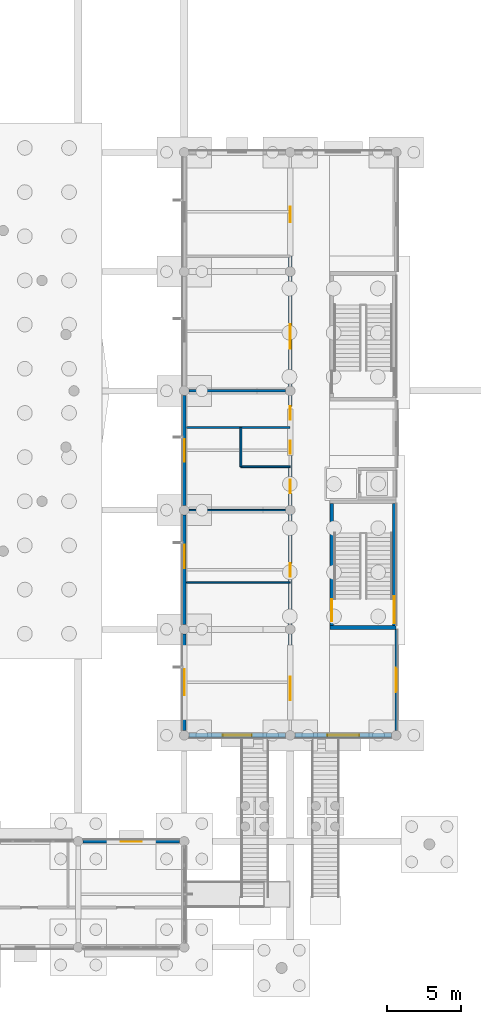
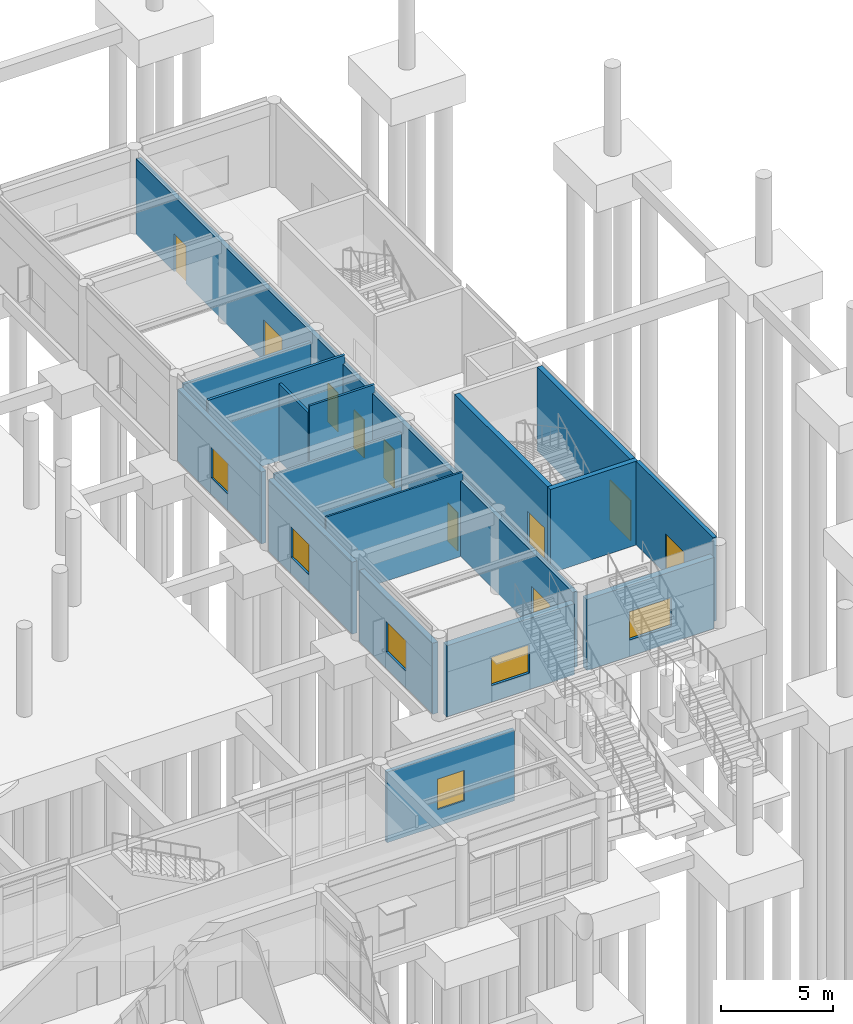
# One storey, part 61 of 103: 17 walls, 10 doors, 6 windows, 16 openings.
"""IFC4 building model written with IfcOpenShell, lengths in metres."""

from ifc_helpers import new_model, si_unit, direction, frame, frame_2d, origin, place, context, subcontext, project, spatial, rectangle, extrude, material, layer, layer_set, type_object, element, fill, save


model = new_model("IFC4")

# Units and contexts
model_context = context("Model", 3, precision=1e-05, world=origin(), true_north=direction((0.0, 1.0)))
body_context = subcontext(model_context, "Body", "Model", "MODEL_VIEW")
ifc_project = project(units=[si_unit("LENGTHUNIT", "METRE"), si_unit("AREAUNIT", "SQUARE_METRE"), si_unit("VOLUMEUNIT", "CUBIC_METRE"), si_unit("PLANEANGLEUNIT", "RADIAN"), si_unit("MASSUNIT", "GRAM", prefix="KILO")], contexts=[model_context])

# Site, building, storey
site_placement = place(None, origin())
site = spatial("IfcSite", under=ifc_project, at=site_placement, CompositionType="ELEMENT")
building_placement = place(site_placement, origin())
building = spatial("IfcBuilding", under=site, at=building_placement, Name="Namkhue Oval Health Centre", CompositionType="ELEMENT")
storey_placement = place(building_placement, origin())
storey = spatial("IfcBuildingStorey", under=building, at=storey_placement, Name="L00", CompositionType="ELEMENT", Elevation=0.0)

# Wall, opening, door
ifc_material_1 = material(Name="Autoclaved aerated concrete blockwork M7.5", Category="masonry")
ifc_layer_1 = layer(ifc_material_1, 0.179931640625)
ifc_layer_set_1 = layer_set([ifc_layer_1], Name="Autoclaved aerated concrete blockwork M7.5")
wall_type_1 = type_object("IfcWallType", Name="EXTERIOR ENVELOPE WALL 180", PredefinedType="STANDARD", material=ifc_layer_set_1)
wall_1_placement = place(storey_placement, frame((151.199951171875, 36.320068359375, 0.0), z_axis=(0.0, 0.0, 1.0), x_axis=(0.0, 1.0, 0.0)))
wall_1 = element("IfcWall", 1, at=wall_1_placement, inside=storey, type_object=wall_type_1, Name="Volume V6 L00 Exterior Envelope Wall 161", PredefinedType="STANDARD", context=body_context, shape_type="SweptSolid", body=[
    extrude(rectangle(XDim=6.8779296875, YDim=0.179931640625, at=frame_2d((3.43896484375, 0.0))), origin(), (0.0, 0.0, 1.0), 4.56494140625),
])
opening_1_placement = place(wall_1_placement, frame((2.59912109375, 0.0, 0.0)))
opening_1 = element("IfcOpeningElement", 2, at=opening_1_placement, cuts=wall_1, Name="Opening ED-04", PredefinedType="OPENING", context=body_context, shape_type="SweptSolid", body=[
    extrude(rectangle(XDim=1.679931640625, YDim=2.199951171875, at=frame_2d((0.83984375, 1.10009765625))), frame((0.0, 0.099853515625, 0.0), z_axis=(0.0, -1.0, 0.0), x_axis=(1.0, 0.0, 0.0)), (0.0, 0.0, 1.0), 0.199951171875),
])
ifc_material_2 = material(Name="Anodised aluminium glazed entrance door", Category="aluminium")
door_type_1 = type_object("IfcDoorType", Name="ENTRANCE DOOR 1680X2200", OperationType="DOUBLE_DOOR_SINGLE_SWING", PredefinedType="DOOR", material=ifc_material_2)
door_1_placement = place(opening_1_placement, frame((1.679931640625, 0.0, 0.0), z_axis=(0.0, 0.0, 1.0), x_axis=(-1.0, 0.0, 0.0)))
door_1 = element("IfcDoor", 3, at=door_1_placement, inside=storey, type_object=door_type_1, Name="Volume V6 Main Pedestrian Entrance Exit Door 16", OperationType="DOUBLE_DOOR_SINGLE_SWING", OverallHeight=2.199951171875, OverallWidth=1.679931640625, PredefinedType="DOOR", context=body_context, shape_type="SweptSolid", body=[
    extrude(rectangle(XDim=1.679931640625, YDim=2.199951171875, at=frame_2d((0.83984375, 1.10009765625))), frame((0.0, 0.02490234375, 0.0), z_axis=(0.0, -1.0, 0.0), x_axis=(1.0, 0.0, 0.0)), (0.0, 0.0, 1.0), 0.050048828125),
])
fill(opening_1, door_1)

# Wall, opening, window
ifc_layer_2 = layer(ifc_material_1, 0.2099609375)
ifc_layer_set_2 = layer_set([ifc_layer_2], Name="Autoclaved aerated concrete blockwork M7.5")
wall_type_2 = type_object("IfcWallType", Name="EXTERIOR ENVELOPE WALL 210", PredefinedType="STANDARD", material=ifc_layer_set_2)
wall_2_placement = place(storey_placement, frame((136.47998046875, 28.800048828125, 0.0), z_axis=(0.0, 0.0, 1.0), x_axis=(-1.0, 0.0, 0.0)))
wall_2 = element("IfcWall", 4, at=wall_2_placement, inside=storey, type_object=wall_type_2, Name="Volume V5 L00 Exterior Envelope Wall 116", PredefinedType="STANDARD", context=body_context, shape_type="SweptSolid", body=[
    extrude(rectangle(XDim=6.56005859375, YDim=0.2099609375, at=frame_2d((3.280029296875, 0.0))), origin(), (0.0, 0.0, 1.0), 3.844970703125),
])
opening_2_placement = place(wall_2_placement, frame((2.580078125, 0.0, 0.89990234375)))
opening_2 = element("IfcOpeningElement", 5, at=opening_2_placement, cuts=wall_2, Name="Opening WN-33", PredefinedType="OPENING", context=body_context, shape_type="SweptSolid", body=[
    extrude(rectangle(XDim=1.39990234375, YDim=1.659912109375, at=frame_2d((0.699951171875, 0.830078125))), frame((0.0, 0.114990234375, 0.0), z_axis=(0.0, -1.0, 0.0), x_axis=(1.0, 0.0, 0.0)), (0.0, 0.0, 1.0), 0.22998046875),
])
ifc_material_3 = material(Name="Thermally broken low-E laminated double glazing", Category="glass")
window_type_1 = type_object("IfcWindowType", Name="EXTERIOR WINDOW 1400X1660", PartitioningType="SINGLE_PANEL", PredefinedType="WINDOW", material=ifc_material_3)
window_1_placement = place(opening_2_placement, origin())
window_1 = element("IfcWindow", 6, at=window_1_placement, inside=storey, type_object=window_type_1, Name="Volume V5 L00 Exterior Window 78", OverallHeight=1.659912109375, OverallWidth=1.39990234375, PartitioningType="SINGLE_PANEL", PredefinedType="WINDOW", context=body_context, shape_type="SweptSolid", body=[
    extrude(rectangle(XDim=1.39990234375, YDim=1.659912109375, at=frame_2d((0.699951171875, 0.830078125))), frame((0.0, 0.030029296875, 0.0), z_axis=(0.0, -1.0, 0.0), x_axis=(1.0, 0.0, 0.0)), (0.0, 0.0, 1.0), 0.06005859375),
])
fill(opening_2, window_1)

ifc_layer_3 = layer(ifc_material_1, 0.25)
ifc_layer_set_3 = layer_set([ifc_layer_3], Name="Autoclaved aerated concrete blockwork M7.5")
wall_type_3 = type_object("IfcWallType", Name="EXTERIOR ENVELOPE WALL 250", PredefinedType="STANDARD", material=ifc_layer_set_3)
wall_3_placement = place(storey_placement, frame((136.800048828125, 59.080078125, 0.0), z_axis=(0.0, 0.0, 1.0), x_axis=(0.0, -1.0, 0.0)))
wall_3 = element("IfcWall", 7, at=wall_3_placement, inside=storey, type_object=wall_type_3, Name="Volume V6 L00 Exterior Envelope Wall 168", PredefinedType="STANDARD", context=body_context, shape_type="SweptSolid", body=[
    extrude(rectangle(XDim=7.4599609375, YDim=0.25, at=frame_2d((3.72998046875, 0.0))), origin(), (0.0, 0.0, 1.0), 3.9150390625),
])
opening_3_placement = place(wall_3_placement, frame((2.97998046875, 0.0, 0.89990234375)))
opening_3 = element("IfcOpeningElement", 8, at=opening_3_placement, cuts=wall_3, Name="Opening WN-34", PredefinedType="OPENING", context=body_context, shape_type="SweptSolid", body=[
    extrude(rectangle(XDim=1.5, YDim=1.659912109375, at=frame_2d((0.75, 0.830078125))), frame((0.0, 0.135009765625, 0.0), z_axis=(0.0, -1.0, 0.0), x_axis=(1.0, 0.0, 0.0)), (0.0, 0.0, 1.0), 0.27001953125),
])
window_type_2 = type_object("IfcWindowType", Name="EXTERIOR WINDOW 1500X1660", PartitioningType="SINGLE_PANEL", PredefinedType="WINDOW", material=ifc_material_3)
window_2_placement = place(opening_3_placement, origin())
window_2 = element("IfcWindow", 9, at=window_2_placement, inside=storey, type_object=window_type_2, Name="Volume V6 L00 Exterior Window 124", OverallHeight=1.659912109375, OverallWidth=1.5, PartitioningType="SINGLE_PANEL", PredefinedType="WINDOW", context=body_context, shape_type="SweptSolid", body=[
    extrude(rectangle(XDim=1.5, YDim=1.659912109375, at=frame_2d((0.75, 0.830078125))), frame((0.0, 0.030029296875, 0.0), z_axis=(0.0, -1.0, 0.0), x_axis=(1.0, 0.0, 0.0)), (0.0, 0.0, 1.0), 0.06005859375),
])
fill(opening_3, window_2)

ifc_layer_4 = layer(ifc_material_1, 0.260009765625)
ifc_layer_set_4 = layer_set([ifc_layer_4], Name="Autoclaved aerated concrete blockwork M7.5")
wall_type_4 = type_object("IfcWallType", Name="EXTERIOR ENVELOPE WALL 260", PredefinedType="STANDARD", material=ifc_layer_set_4)
wall_4_placement = place(storey_placement, frame((136.800048828125, 50.97998046875, 0.0), z_axis=(0.0, 0.0, 1.0), x_axis=(0.0, -1.0, 0.0)))
wall_4 = element("IfcWall", 10, at=wall_4_placement, inside=storey, type_object=wall_type_4, Name="Volume V6 L00 Exterior Envelope Wall 169", PredefinedType="STANDARD", context=body_context, shape_type="SweptSolid", body=[
    extrude(rectangle(XDim=7.4599609375, YDim=0.260009765625, at=frame_2d((3.72998046875, 0.0))), origin(), (0.0, 0.0, 1.0), 3.9150390625),
])
opening_4_placement = place(wall_4_placement, frame((2.030029296875, 0.0, 0.89990234375)))
opening_4 = element("IfcOpeningElement", 11, at=opening_4_placement, cuts=wall_4, Name="Opening WN-35", PredefinedType="OPENING", context=body_context, shape_type="SweptSolid", body=[
    extrude(rectangle(XDim=1.60009765625, YDim=1.659912109375, at=frame_2d((0.800048828125, 0.830078125))), frame((0.0, 0.139892578125, 0.0), z_axis=(0.0, -1.0, 0.0), x_axis=(1.0, 0.0, 0.0)), (0.0, 0.0, 1.0), 0.280029296875),
])
window_type_3 = type_object("IfcWindowType", Name="EXTERIOR WINDOW 1600X1660", PartitioningType="SINGLE_PANEL", PredefinedType="WINDOW", material=ifc_material_3)
window_3_placement = place(opening_4_placement, origin())
window_3 = element("IfcWindow", 12, at=window_3_placement, inside=storey, type_object=window_type_3, Name="Volume V6 L00 Exterior Window 125", OverallHeight=1.659912109375, OverallWidth=1.60009765625, PartitioningType="SINGLE_PANEL", PredefinedType="WINDOW", context=body_context, shape_type="SweptSolid", body=[
    extrude(rectangle(XDim=1.60009765625, YDim=1.659912109375, at=frame_2d((0.800048828125, 0.830078125))), frame((0.0, 0.030029296875, 0.0), z_axis=(0.0, -1.0, 0.0), x_axis=(1.0, 0.0, 0.0)), (0.0, 0.0, 1.0), 0.06005859375),
])
fill(opening_4, window_3)

ifc_layer_5 = layer(ifc_material_1, 0.27001953125)
ifc_layer_set_5 = layer_set([ifc_layer_5], Name="Autoclaved aerated concrete blockwork M7.5")
wall_type_5 = type_object("IfcWallType", Name="EXTERIOR ENVELOPE WALL 270", PredefinedType="STANDARD", material=ifc_layer_set_5)
wall_5_placement = place(storey_placement, frame((136.800048828125, 42.8798828125, 0.0), z_axis=(0.0, 0.0, 1.0), x_axis=(0.0, -1.0, 0.0)))
wall_5 = element("IfcWall", 13, at=wall_5_placement, inside=storey, type_object=wall_type_5, Name="Volume V6 L00 Exterior Envelope Wall 170", PredefinedType="STANDARD", context=body_context, shape_type="SweptSolid", body=[
    extrude(rectangle(XDim=6.559814453125, YDim=0.27001953125, at=frame_2d((3.27978515625, 0.0))), origin(), (0.0, 0.0, 1.0), 3.8720703125),
])
opening_5_placement = place(wall_5_placement, frame((2.405029296875, 0.0, 0.89990234375)))
opening_5 = element("IfcOpeningElement", 14, at=opening_5_placement, cuts=wall_5, Name="Opening WN-36", PredefinedType="OPENING", context=body_context, shape_type="SweptSolid", body=[
    extrude(rectangle(XDim=1.75, YDim=1.659912109375, at=frame_2d((0.875, 0.830078125))), frame((0.0, 0.14501953125, 0.0), z_axis=(0.0, -1.0, 0.0), x_axis=(1.0, 0.0, 0.0)), (0.0, 0.0, 1.0), 0.2900390625),
])
window_type_4 = type_object("IfcWindowType", Name="EXTERIOR WINDOW 1750X1660", PartitioningType="SINGLE_PANEL", PredefinedType="WINDOW", material=ifc_material_3)
window_4_placement = place(opening_5_placement, origin())
window_4 = element("IfcWindow", 15, at=window_4_placement, inside=storey, type_object=window_type_4, Name="Volume V6 L00 Exterior Window 126", OverallHeight=1.659912109375, OverallWidth=1.75, PartitioningType="SINGLE_PANEL", PredefinedType="WINDOW", context=body_context, shape_type="SweptSolid", body=[
    extrude(rectangle(XDim=1.75, YDim=1.659912109375, at=frame_2d((0.875, 0.830078125))), frame((0.0, 0.030029296875, 0.0), z_axis=(0.0, -1.0, 0.0), x_axis=(1.0, 0.0, 0.0)), (0.0, 0.0, 1.0), 0.06005859375),
])
fill(opening_5, window_4)

ifc_layer_6 = layer(ifc_material_1, 0.320068359375)
ifc_layer_set_6 = layer_set([ifc_layer_6], Name="Autoclaved aerated concrete blockwork M7.5")
wall_type_6 = type_object("IfcWallType", Name="EXTERIOR ENVELOPE WALL 320", PredefinedType="STANDARD", material=ifc_layer_set_6)
wall_6_placement = place(storey_placement, frame((137.1201171875, 36.0, 0.0), z_axis=(0.0, 0.0, 1.0), x_axis=(1.0, 0.0, 0.0)))
wall_6 = element("IfcWall", 16, at=wall_6_placement, inside=storey, type_object=wall_type_6, Name="Volume V6 L00 Exterior Envelope Wall 159", PredefinedType="STANDARD", context=body_context, shape_type="SweptSolid", body=[
    extrude(rectangle(XDim=6.559814453125, YDim=0.320068359375, at=frame_2d((3.27978515625, 0.0))), origin(), (0.0, 0.0, 1.0), 3.8720703125),
])
opening_6_placement = place(wall_6_placement, frame((2.304931640625, 0.0, 0.89990234375)))
opening_6 = element("IfcOpeningElement", 17, at=opening_6_placement, cuts=wall_6, Name="Opening WN-28", PredefinedType="OPENING", context=body_context, shape_type="SweptSolid", body=[
    extrude(rectangle(XDim=1.949951171875, YDim=1.5400390625, at=frame_2d((0.97509765625, 0.77001953125))), frame((0.0, 0.169921875, 0.0), z_axis=(0.0, -1.0, 0.0), x_axis=(1.0, 0.0, 0.0)), (0.0, 0.0, 1.0), 0.340087890625),
])
window_type_5 = type_object("IfcWindowType", Name="EXTERIOR WINDOW 1950X1540", PartitioningType="SINGLE_PANEL", PredefinedType="WINDOW", material=ifc_material_3)
window_5_placement = place(opening_6_placement, origin())
window_5 = element("IfcWindow", 18, at=window_5_placement, inside=storey, type_object=window_type_5, Name="Volume V6 L00 Exterior Window 118", OverallHeight=1.5400390625, OverallWidth=1.949951171875, PartitioningType="SINGLE_PANEL", PredefinedType="WINDOW", context=body_context, shape_type="SweptSolid", body=[
    extrude(rectangle(XDim=1.949951171875, YDim=1.5400390625, at=frame_2d((0.97509765625, 0.77001953125))), frame((0.0, 0.030029296875, 0.0), z_axis=(0.0, -1.0, 0.0), x_axis=(1.0, 0.0, 0.0)), (0.0, 0.0, 1.0), 0.06005859375),
])
fill(opening_6, window_5)

ifc_layer_7 = layer(ifc_material_1, 0.330078125)
ifc_layer_set_7 = layer_set([ifc_layer_7], Name="Autoclaved aerated concrete blockwork M7.5")
wall_type_7 = type_object("IfcWallType", Name="EXTERIOR ENVELOPE WALL 330", PredefinedType="STANDARD", material=ifc_layer_set_7)
wall_7_placement = place(storey_placement, frame((144.320068359375, 36.0, 0.0), z_axis=(0.0, 0.0, 1.0), x_axis=(1.0, 0.0, 0.0)))
wall_7 = element("IfcWall", 19, at=wall_7_placement, inside=storey, type_object=wall_type_7, Name="Volume V6 L00 Exterior Envelope Wall 160", PredefinedType="STANDARD", context=body_context, shape_type="SweptSolid", body=[
    extrude(rectangle(XDim=6.559814453125, YDim=0.330078125, at=frame_2d((3.27978515625, 0.0))), origin(), (0.0, 0.0, 1.0), 3.8720703125),
])
opening_7_placement = place(wall_7_placement, frame((2.205078125, 0.0, 0.89990234375)))
opening_7 = element("IfcOpeningElement", 20, at=opening_7_placement, cuts=wall_7, Name="Opening WN-29", PredefinedType="OPENING", context=body_context, shape_type="SweptSolid", body=[
    extrude(rectangle(XDim=2.14990234375, YDim=1.5400390625, at=frame_2d((1.074951171875, 0.77001953125))), frame((0.0, 0.175048828125, 0.0), z_axis=(0.0, -1.0, 0.0), x_axis=(1.0, 0.0, 0.0)), (0.0, 0.0, 1.0), 0.35009765625),
])
window_type_6 = type_object("IfcWindowType", Name="EXTERIOR WINDOW 2150X1540", PartitioningType="SINGLE_PANEL", PredefinedType="WINDOW", material=ifc_material_3)
window_6_placement = place(opening_7_placement, origin())
window_6 = element("IfcWindow", 21, at=window_6_placement, inside=storey, type_object=window_type_6, Name="Volume V6 L00 Exterior Window 119", OverallHeight=1.5400390625, OverallWidth=2.14990234375, PartitioningType="SINGLE_PANEL", PredefinedType="WINDOW", context=body_context, shape_type="SweptSolid", body=[
    extrude(rectangle(XDim=2.14990234375, YDim=1.5400390625, at=frame_2d((1.074951171875, 0.77001953125))), frame((0.0, 0.030029296875, 0.0), z_axis=(0.0, -1.0, 0.0), x_axis=(1.0, 0.0, 0.0)), (0.0, 0.0, 1.0), 0.06005859375),
])
fill(opening_7, window_6)

# Wall, openings, doors
ifc_material_4 = material(Name="Lead-lined barium plasterboard radiation partition", Category="gypsum")
ifc_layer_8 = layer(ifc_material_4, 0.235107421875)
ifc_layer_set_8 = layer_set([ifc_layer_8], Name="Lead-lined barium plasterboard radiation partition")
wall_type_8 = type_object("IfcWallType", Name="FIRE PARTITION WALL 235", PredefinedType="PARTITIONING", material=ifc_layer_set_8)
wall_8_placement = place(storey_placement, frame((144.0, 36.324951171875, 0.0), z_axis=(0.0, 0.0, 1.0), x_axis=(0.0, 1.0, 0.0)))
wall_8 = element("IfcWall", 22, at=wall_8_placement, inside=storey, type_object=wall_type_8, Name="Volume V6 L00 Clinical Partition Wall 252", PredefinedType="PARTITIONING", context=body_context, shape_type="SweptSolid", body=[
    extrude(rectangle(XDim=38.949951171875, YDim=0.235107421875, at=frame_2d((19.47509765625, 0.0))), origin(), (0.0, 0.0, 1.0), 4.114990234375),
])
opening_8_placement = place(wall_8_placement, frame((2.044921875, 0.0, 0.0)))
opening_8 = element("IfcOpeningElement", 23, at=opening_8_placement, cuts=wall_8, Name="Opening CDD-05", PredefinedType="OPENING", context=body_context, shape_type="SweptSolid", body=[
    extrude(rectangle(XDim=1.6201171875, YDim=2.219970703125, at=frame_2d((0.81005859375, 1.10986328125))), frame((0.0, 0.12744140625, 0.0), z_axis=(0.0, -1.0, 0.0), x_axis=(1.0, 0.0, 0.0)), (0.0, 0.0, 1.0), 0.255126953125),
])
opening_9_placement = place(wall_8_placement, frame((10.449951171875, 0.0, 0.0)))
opening_9 = element("IfcOpeningElement", 24, at=opening_9_placement, cuts=wall_8, Name="Opening CD-01", PredefinedType="OPENING", context=body_context, shape_type="SweptSolid", body=[
    extrude(rectangle(XDim=0.89990234375, YDim=2.080078125, at=frame_2d((0.449951171875, 1.0400390625))), frame((0.0, 0.12744140625, 0.0), z_axis=(0.0, -1.0, 0.0), x_axis=(1.0, 0.0, 0.0)), (0.0, 0.0, 1.0), 0.255126953125),
])
opening_10_placement = place(wall_8_placement, frame((16.10498046875, 0.0, 0.0)))
opening_10 = element("IfcOpeningElement", 25, at=opening_10_placement, cuts=wall_8, Name="Opening CD-02", PredefinedType="OPENING", context=body_context, shape_type="SweptSolid", body=[
    extrude(rectangle(XDim=0.93994140625, YDim=2.080078125, at=frame_2d((0.469970703125, 1.0400390625))), frame((0.0, 0.12744140625, 0.0), z_axis=(0.0, -1.0, 0.0), x_axis=(1.0, 0.0, 0.0)), (0.0, 0.0, 1.0), 0.255126953125),
])
opening_11_placement = place(wall_8_placement, frame((18.800048828125, 0.0, 0.0)))
opening_11 = element("IfcOpeningElement", 26, at=opening_11_placement, cuts=wall_8, Name="Opening CD-01", PredefinedType="OPENING", context=body_context, shape_type="SweptSolid", body=[
    extrude(rectangle(XDim=0.89990234375, YDim=2.080078125, at=frame_2d((0.449951171875, 1.0400390625))), frame((0.0, 0.12744140625, 0.0), z_axis=(0.0, -1.0, 0.0), x_axis=(1.0, 0.0, 0.0)), (0.0, 0.0, 1.0), 0.255126953125),
])
opening_12_placement = place(wall_8_placement, frame((21.125, 0.0, 0.0)))
opening_12 = element("IfcOpeningElement", 27, at=opening_12_placement, cuts=wall_8, Name="Opening CD-07", PredefinedType="OPENING", context=body_context, shape_type="SweptSolid", body=[
    extrude(rectangle(XDim=0.89990234375, YDim=2.1298828125, at=frame_2d((0.449951171875, 1.06494140625))), frame((0.0, 0.12744140625, 0.0), z_axis=(0.0, -1.0, 0.0), x_axis=(1.0, 0.0, 0.0)), (0.0, 0.0, 1.0), 0.255126953125),
])
opening_13_placement = place(wall_8_placement, frame((25.925048828125, 0.0, 0.0)))
opening_13 = element("IfcOpeningElement", 28, at=opening_13_placement, cuts=wall_8, Name="Opening CDD-06", PredefinedType="OPENING", context=body_context, shape_type="SweptSolid", body=[
    extrude(rectangle(XDim=1.679931640625, YDim=2.239990234375, at=frame_2d((0.83984375, 1.1201171875))), frame((0.0, 0.12744140625, 0.0), z_axis=(0.0, -1.0, 0.0), x_axis=(1.0, 0.0, 0.0)), (0.0, 0.0, 1.0), 0.255126953125),
])
opening_14_placement = place(wall_8_placement, frame((34.514892578125, 0.0, 0.0)))
opening_14 = element("IfcOpeningElement", 29, at=opening_14_placement, cuts=wall_8, Name="Opening CD-05", PredefinedType="OPENING", context=body_context, shape_type="SweptSolid", body=[
    extrude(rectangle(XDim=1.06005859375, YDim=2.080078125, at=frame_2d((0.530029296875, 1.0400390625))), frame((0.0, 0.12744140625, 0.0), z_axis=(0.0, -1.0, 0.0), x_axis=(1.0, 0.0, 0.0)), (0.0, 0.0, 1.0), 0.255126953125),
])
ifc_material_5 = material(Name="High-pressure laminate timber clinical door", Category="wood")
door_type_2 = type_object("IfcDoorType", Name="CLINICAL DOOR 1060X2080", OperationType="NOTDEFINED", PredefinedType="DOOR", material=ifc_material_5)
door_2_placement = place(opening_14_placement, origin())
door_2 = element("IfcDoor", 30, at=door_2_placement, inside=storey, type_object=door_type_2, Name="Volume V6 L00 Gait Mobility Assessment Clinic Door 225", OperationType="SINGLE_SWING_LEFT", OverallHeight=2.080078125, OverallWidth=1.06005859375, PredefinedType="DOOR", context=body_context, shape_type="SweptSolid", body=[
    extrude(rectangle(XDim=1.06005859375, YDim=2.080078125, at=frame_2d((0.530029296875, 1.0400390625))), frame((0.0, 0.02490234375, 0.0), z_axis=(0.0, -1.0, 0.0), x_axis=(1.0, 0.0, 0.0)), (0.0, 0.0, 1.0), 0.050048828125),
])
fill(opening_14, door_2)
door_type_3 = type_object("IfcDoorType", Name="CLINICAL DOOR 900X2080", OperationType="NOTDEFINED", PredefinedType="DOOR", material=ifc_material_5)
door_3_placement = place(opening_9_placement, origin())
door_3 = element("IfcDoor", 31, at=door_3_placement, inside=storey, type_object=door_type_3, Name="Volume V6 L00 Pool Filtration Plant Room Door 220", OperationType="SINGLE_SWING_LEFT", OverallHeight=2.080078125, OverallWidth=0.89990234375, PredefinedType="DOOR", context=body_context, shape_type="SweptSolid", body=[
    extrude(rectangle(XDim=0.89990234375, YDim=2.080078125, at=frame_2d((0.449951171875, 1.0400390625))), frame((0.0, 0.02490234375, 0.0), z_axis=(0.0, -1.0, 0.0), x_axis=(1.0, 0.0, 0.0)), (0.0, 0.0, 1.0), 0.050048828125),
])
fill(opening_9, door_3)
door_4_placement = place(opening_11_placement, origin())
door_4 = element("IfcDoor", 32, at=door_4_placement, inside=storey, type_object=door_type_3, Name="Volume V6 L00 Accessible WC Door 222", OperationType="SINGLE_SWING_LEFT", OverallHeight=2.080078125, OverallWidth=0.89990234375, PredefinedType="DOOR", context=body_context, shape_type="SweptSolid", body=[
    extrude(rectangle(XDim=0.89990234375, YDim=2.080078125, at=frame_2d((0.449951171875, 1.0400390625))), frame((0.0, 0.02490234375, 0.0), z_axis=(0.0, -1.0, 0.0), x_axis=(1.0, 0.0, 0.0)), (0.0, 0.0, 1.0), 0.050048828125),
])
fill(opening_11, door_4)
door_type_4 = type_object("IfcDoorType", Name="CLINICAL DOOR 900X2130", OperationType="NOTDEFINED", PredefinedType="DOOR", material=ifc_material_5)
door_5_placement = place(opening_12_placement, origin())
door_5 = element("IfcDoor", 33, at=door_5_placement, inside=storey, type_object=door_type_4, Name="Volume V6 L00 Patient Changing Washroom Door 223", OperationType="SINGLE_SWING_LEFT", OverallHeight=2.1298828125, OverallWidth=0.89990234375, PredefinedType="DOOR", context=body_context, shape_type="SweptSolid", body=[
    extrude(rectangle(XDim=0.89990234375, YDim=2.1298828125, at=frame_2d((0.449951171875, 1.06494140625))), frame((0.0, 0.02490234375, 0.0), z_axis=(0.0, -1.0, 0.0), x_axis=(1.0, 0.0, 0.0)), (0.0, 0.0, 1.0), 0.050048828125),
])
fill(opening_12, door_5)
door_type_5 = type_object("IfcDoorType", Name="CLINICAL DOOR 940X2080", OperationType="NOTDEFINED", PredefinedType="DOOR", material=ifc_material_5)
door_6_placement = place(opening_10_placement, origin())
door_6 = element("IfcDoor", 34, at=door_6_placement, inside=storey, type_object=door_type_5, Name="Volume V6 L00 Hydrotherapy Clean Towel Utility Door 221", OperationType="SINGLE_SWING_RIGHT", OverallHeight=2.080078125, OverallWidth=0.93994140625, PredefinedType="DOOR", context=body_context, shape_type="SweptSolid", body=[
    extrude(rectangle(XDim=0.93994140625, YDim=2.080078125, at=frame_2d((0.469970703125, 1.0400390625))), frame((0.0, 0.02490234375, 0.0), z_axis=(0.0, -1.0, 0.0), x_axis=(1.0, 0.0, 0.0)), (0.0, 0.0, 1.0), 0.050048828125),
])
fill(opening_10, door_6)
ifc_material_6 = material(Name="Powder-coated steel fire door assembly", Category="steel")
door_type_6 = type_object("IfcDoorType", Name="CLINICAL DOOR DOUBLE 1620X2220", OperationType="DOUBLE_DOOR_SINGLE_SWING", PredefinedType="DOOR", material=ifc_material_6)
door_7_placement = place(opening_8_placement, origin())
door_7 = element("IfcDoor", 35, at=door_7_placement, inside=storey, type_object=door_type_6, Name="Volume V6 L00 Rehabilitation Physiotherapy Gym Door 219", OperationType="DOUBLE_DOOR_SINGLE_SWING", OverallHeight=2.219970703125, OverallWidth=1.6201171875, PredefinedType="DOOR", context=body_context, shape_type="SweptSolid", body=[
    extrude(rectangle(XDim=1.6201171875, YDim=2.219970703125, at=frame_2d((0.81005859375, 1.10986328125))), frame((0.0, 0.02490234375, 0.0), z_axis=(0.0, -1.0, 0.0), x_axis=(1.0, 0.0, 0.0)), (0.0, 0.0, 1.0), 0.050048828125),
])
fill(opening_8, door_7)
door_type_7 = type_object("IfcDoorType", Name="CLINICAL DOOR DOUBLE 1680X2240", OperationType="DOUBLE_DOOR_SINGLE_SWING", PredefinedType="DOOR", material=ifc_material_6)
door_8_placement = place(opening_13_placement, origin())
door_8 = element("IfcDoor", 36, at=door_8_placement, inside=storey, type_object=door_type_7, Name="Volume V6 L00 Hydrotherapy Exercise Pool Room Door 224", OperationType="DOUBLE_DOOR_SINGLE_SWING", OverallHeight=2.239990234375, OverallWidth=1.679931640625, PredefinedType="DOOR", context=body_context, shape_type="SweptSolid", body=[
    extrude(rectangle(XDim=1.679931640625, YDim=2.239990234375, at=frame_2d((0.83984375, 1.1201171875))), frame((0.0, 0.02490234375, 0.0), z_axis=(0.0, -1.0, 0.0), x_axis=(1.0, 0.0, 0.0)), (0.0, 0.0, 1.0), 0.050048828125),
])
fill(opening_13, door_8)

# Walls
ifc_material_7 = material(Name="Gypsum plasterboard acoustic partition", Category="gypsum")
ifc_layer_9 = layer(ifc_material_7, 0.10009765625)
ifc_layer_set_9 = layer_set([ifc_layer_9], Name="Gypsum plasterboard acoustic partition")
wall_type_9 = type_object("IfcWallType", Name="INTERIOR PARTITION WALL 100", PredefinedType="PARTITIONING", material=ifc_layer_set_9)
wall_9_placement = place(storey_placement, frame((136.951904296875, 46.385009765625, 0.0), z_axis=(0.0, 0.0, 1.0), x_axis=(1.0, 0.0, 0.0)))
element("IfcWall", 37, at=wall_9_placement, inside=storey, type_object=wall_type_9, Name="Volume V6 L00 Clinical Partition Wall 253", PredefinedType="PARTITIONING", context=body_context, shape_type="SweptSolid", body=[
    extrude(rectangle(XDim=7.048095703125, YDim=0.10009765625, at=frame_2d((3.52392578125, 0.0))), origin(), (0.0, 0.0, 1.0), 4.56494140625),
])
ifc_layer_10 = layer(ifc_material_7, 0.110107421875)
ifc_layer_set_10 = layer_set([ifc_layer_10], Name="Gypsum plasterboard acoustic partition")
wall_type_10 = type_object("IfcWallType", Name="INTERIOR PARTITION WALL 110", PredefinedType="PARTITIONING", material=ifc_layer_set_10)
wall_10_placement = place(storey_placement, frame((137.125, 51.300048828125, 0.0), z_axis=(0.0, 0.0, 1.0), x_axis=(1.0, 0.0, 0.0)))
element("IfcWall", 38, at=wall_10_placement, inside=storey, type_object=wall_type_10, Name="Volume V6 L00 Clinical Partition Wall 254", PredefinedType="PARTITIONING", context=body_context, shape_type="SweptSolid", body=[
    extrude(rectangle(XDim=6.550048828125, YDim=0.110107421875, at=frame_2d((3.27490234375, 0.0))), origin(), (0.0, 0.0, 1.0), 3.864990234375),
])
ifc_layer_11 = layer(ifc_material_7, 0.1201171875)
ifc_layer_set_11 = layer_set([ifc_layer_11], Name="Gypsum plasterboard acoustic partition")
wall_type_11 = type_object("IfcWallType", Name="INTERIOR PARTITION WALL 120", PredefinedType="PARTITIONING", material=ifc_layer_set_11)
wall_11_placement = place(storey_placement, frame((140.64990234375, 54.25, 0.0), z_axis=(0.0, 0.0, 1.0), x_axis=(1.0, 0.0, 0.0)))
element("IfcWall", 39, at=wall_11_placement, inside=storey, type_object=wall_type_11, Name="Volume V6 L00 Clinical Partition Wall 255", PredefinedType="PARTITIONING", context=body_context, shape_type="SweptSolid", body=[
    extrude(rectangle(XDim=3.35009765625, YDim=0.1201171875, at=frame_2d((1.675048828125, 0.0))), origin(), (0.0, 0.0, 1.0), 4.56494140625),
])
ifc_layer_12 = layer(ifc_material_7, 0.1298828125)
ifc_layer_set_12 = layer_set([ifc_layer_12], Name="Gypsum plasterboard acoustic partition")
wall_type_12 = type_object("IfcWallType", Name="INTERIOR PARTITION WALL 130", PredefinedType="PARTITIONING", material=ifc_layer_set_12)
wall_12_placement = place(storey_placement, frame((140.64990234375, 54.25, 0.0), z_axis=(0.0, 0.0, 1.0), x_axis=(0.0, 1.0, 0.0)))
element("IfcWall", 40, at=wall_12_placement, inside=storey, type_object=wall_type_12, Name="Volume V6 L00 Clinical Partition Wall 256", PredefinedType="PARTITIONING", context=body_context, shape_type="SweptSolid", body=[
    extrude(rectangle(XDim=2.64990234375, YDim=0.1298828125, at=frame_2d((1.324951171875, 0.0))), origin(), (0.0, 0.0, 1.0), 4.205078125),
])
ifc_layer_13 = layer(ifc_material_7, 0.139892578125)
ifc_layer_set_13 = layer_set([ifc_layer_13], Name="Gypsum plasterboard acoustic partition")
wall_type_13 = type_object("IfcWallType", Name="INTERIOR PARTITION WALL 140", PredefinedType="PARTITIONING", material=ifc_layer_set_13)
wall_13_placement = place(storey_placement, frame((136.947021484375, 56.89990234375, 0.0), z_axis=(0.0, 0.0, 1.0), x_axis=(1.0, 0.0, 0.0)))
element("IfcWall", 41, at=wall_13_placement, inside=storey, type_object=wall_type_13, Name="Volume V6 L00 Clinical Partition Wall 257", PredefinedType="PARTITIONING", context=body_context, shape_type="SweptSolid", body=[
    extrude(rectangle(XDim=7.052978515625, YDim=0.139892578125, at=frame_2d((3.5263671875, 0.0))), origin(), (0.0, 0.0, 1.0), 4.56494140625),
])
ifc_layer_14 = layer(ifc_material_7, 0.14990234375)
ifc_layer_set_14 = layer_set([ifc_layer_14], Name="Gypsum plasterboard acoustic partition")
wall_type_14 = type_object("IfcWallType", Name="INTERIOR PARTITION WALL 150", PredefinedType="PARTITIONING", material=ifc_layer_set_14)
wall_14_placement = place(storey_placement, frame((137.125, 59.39990234375, 0.0), z_axis=(0.0, 0.0, 1.0), x_axis=(1.0, 0.0, 0.0)))
element("IfcWall", 42, at=wall_14_placement, inside=storey, type_object=wall_type_14, Name="Volume V6 L00 Clinical Partition Wall 258", PredefinedType="PARTITIONING", context=body_context, shape_type="SweptSolid", body=[
    extrude(rectangle(XDim=6.550048828125, YDim=0.14990234375, at=frame_2d((3.27490234375, 0.0))), origin(), (0.0, 0.0, 1.0), 3.864990234375),
])

# Wall, opening, door
ifc_material_8 = material(Name="Reinforced concrete C35/45 (TCVN B40)", Category="concrete")
ifc_layer_15 = layer(ifc_material_8, 0.25)
ifc_layer_set_15 = layer_set([ifc_layer_15], Name="Reinforced concrete C35/45 (TCVN B40)")
wall_type_15 = type_object("IfcWallType", Name="SHEAR CORE WALL EXT 250", PredefinedType="SHEAR", material=ifc_layer_set_15)
wall_15_placement = place(storey_placement, frame((151.074951171875, 43.449951171875, 0.0), z_axis=(0.0, 0.0, 1.0), x_axis=(0.0, 1.0, 0.0)))
wall_15 = element("IfcWall", 43, at=wall_15_placement, inside=storey, type_object=wall_type_15, Name="Core SC-11 L00 Shear Wall E", PredefinedType="SHEAR", context=body_context, shape_type="SweptSolid", body=[
    extrude(rectangle(XDim=8.300048828125, YDim=0.25, at=frame_2d((4.14990234375, 0.0))), origin(), (0.0, 0.0, 1.0), 4.56494140625),
])
opening_15_placement = place(wall_15_placement, frame((0.14990234375, 0.0, 0.0)))
opening_15 = element("IfcOpeningElement", 44, at=opening_15_placement, cuts=wall_15, Name="Opening SD-E1", PredefinedType="OPENING", context=body_context, shape_type="SweptSolid", body=[
    extrude(rectangle(XDim=1.85009765625, YDim=2.199951171875, at=frame_2d((0.925048828125, 1.10009765625))), frame((0.0, 0.135009765625, 0.0), z_axis=(0.0, -1.0, 0.0), x_axis=(1.0, 0.0, 0.0)), (0.0, 0.0, 1.0), 0.27001953125),
])
door_type_8 = type_object("IfcDoorType", Name="ENTRANCE DOOR STAIR EXIT 1850X2200", OperationType="DOUBLE_DOOR_SINGLE_SWING", PredefinedType="DOOR", material=ifc_material_6)
door_9_placement = place(opening_15_placement, frame((1.85009765625, 0.0, 0.0), z_axis=(0.0, 0.0, 1.0), x_axis=(-1.0, 0.0, 0.0)))
door_9 = element("IfcDoor", 45, at=door_9_placement, inside=storey, type_object=door_type_8, Name="Stair ST-11 Ground Final Exit Discharge Door", OperationType="DOUBLE_DOOR_SINGLE_SWING", OverallHeight=2.199951171875, OverallWidth=1.85009765625, PredefinedType="DOOR", context=body_context, shape_type="SweptSolid", body=[
    extrude(rectangle(XDim=1.85009765625, YDim=2.199951171875, at=frame_2d((0.925048828125, 1.10009765625))), frame((0.0, 0.02490234375, 0.0), z_axis=(0.0, -1.0, 0.0), x_axis=(1.0, 0.0, 0.0)), (0.0, 0.0, 1.0), 0.050048828125),
])
fill(opening_15, door_9)

# Wall
ifc_layer_16 = layer(ifc_material_8, 0.25)
ifc_layer_set_16 = layer_set([ifc_layer_16], Name="Reinforced concrete C35/45 (TCVN B40)")
wall_type_16 = type_object("IfcWallType", Name="SHEAR CORE WALL INT 250", PredefinedType="SHEAR", material=ifc_layer_set_16)
wall_16_placement = place(storey_placement, frame((146.699951171875, 43.324951171875, 0.0), z_axis=(0.0, 0.0, 1.0), x_axis=(1.0, 0.0, 0.0)))
element("IfcWall", 46, at=wall_16_placement, inside=storey, type_object=wall_type_16, Name="Core SC-11 L00 Shear Wall S", PredefinedType="SHEAR", context=body_context, shape_type="SweptSolid", body=[
    extrude(rectangle(XDim=4.5, YDim=0.25, at=frame_2d((2.25, 0.0))), origin(), (0.0, 0.0, 1.0), 4.56494140625),
])

# Wall, opening, door
wall_17_placement = place(storey_placement, frame((146.824951171875, 51.75, 0.0), z_axis=(0.0, 0.0, 1.0), x_axis=(0.0, -1.0, 0.0)))
wall_17 = element("IfcWall", 47, at=wall_17_placement, inside=storey, type_object=wall_type_16, Name="Core SC-11 L00 Shear Wall W", PredefinedType="SHEAR", context=body_context, shape_type="SweptSolid", body=[
    extrude(rectangle(XDim=8.300048828125, YDim=0.25, at=frame_2d((4.14990234375, 0.0))), origin(), (0.0, 0.0, 1.0), 4.56494140625),
])
opening_16_placement = place(wall_17_placement, frame((6.5, 0.0, 0.0)))
opening_16 = element("IfcOpeningElement", 48, at=opening_16_placement, cuts=wall_17, Name="Opening SD-I1", PredefinedType="OPENING", context=body_context, shape_type="SweptSolid", body=[
    extrude(rectangle(XDim=1.5, YDim=2.14990234375, at=frame_2d((0.75, 1.074951171875))), frame((0.0, 0.135009765625, 0.0), z_axis=(0.0, -1.0, 0.0), x_axis=(1.0, 0.0, 0.0)), (0.0, 0.0, 1.0), 0.27001953125),
])
door_type_9 = type_object("IfcDoorType", Name="CLINICAL DOOR STAIR CORE 1500X2150", OperationType="DOUBLE_DOOR_SINGLE_SWING", PredefinedType="DOOR", material=ifc_material_6)
door_10_placement = place(opening_16_placement, origin())
door_10 = element("IfcDoor", 49, at=door_10_placement, inside=storey, type_object=door_type_9, Name="Stair ST-11 L00 Stair Enclosure Fire Door", OperationType="DOUBLE_DOOR_SINGLE_SWING", OverallHeight=2.14990234375, OverallWidth=1.5, PredefinedType="DOOR", context=body_context, shape_type="SweptSolid", body=[
    extrude(rectangle(XDim=1.5, YDim=2.14990234375, at=frame_2d((0.75, 1.074951171875))), frame((0.0, 0.02490234375, 0.0), z_axis=(0.0, -1.0, 0.0), x_axis=(1.0, 0.0, 0.0)), (0.0, 0.0, 1.0), 0.050048828125),
])
fill(opening_16, door_10)

save(model, "model.ifc")
